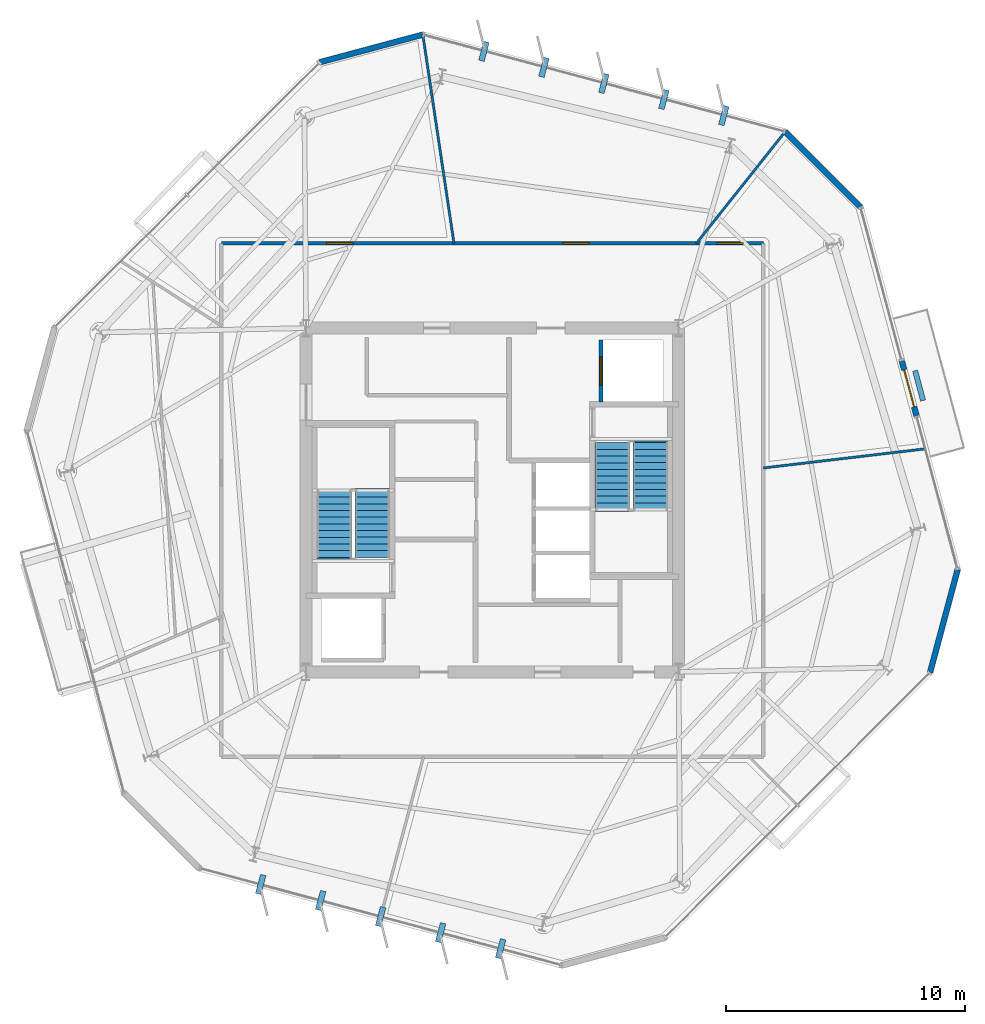
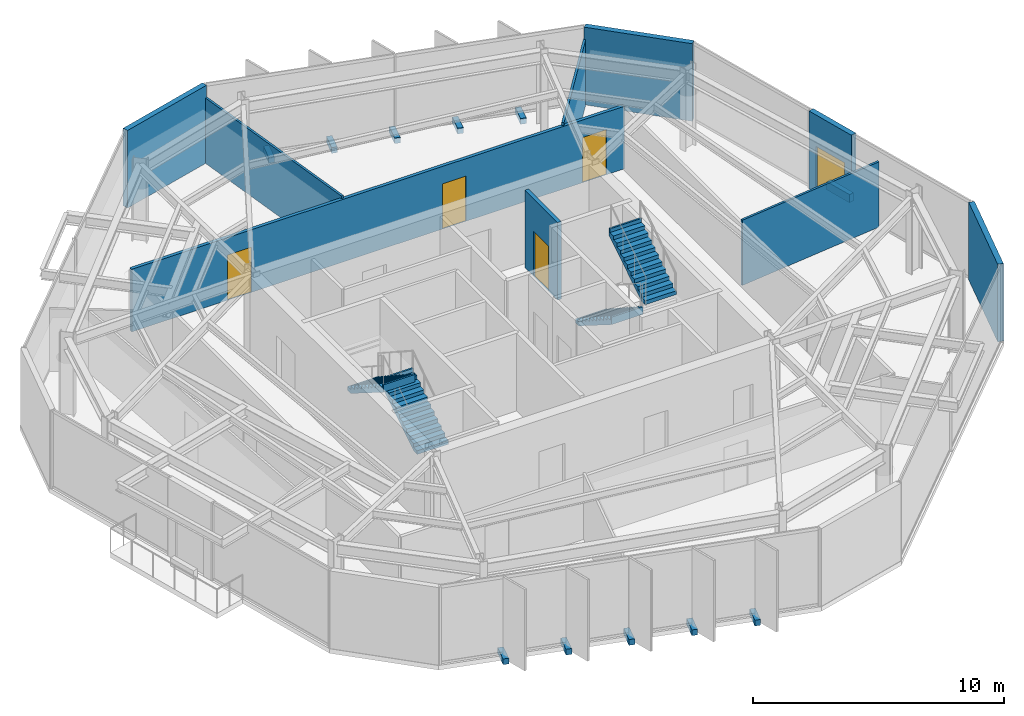
# One storey, part 9 of 12: 10 discrete accessories, 10 walls, 5 doors, 4 stair flights, 5 openings, 2 elements without a shape of their own.
"""IFC4 building model written with IfcOpenShell, lengths in metres."""

from ifc_helpers import new_model, si_unit, direction, frame, frame_2d, origin, origin_2d, place, context, subcontext, project, spatial, polyline, rectangle, outline, extrude, material, layer, layer_set, type_object, element, fill, aggregate, save


model = new_model("IFC4")

# Units and contexts
model_context = context("Model", 3, precision=1e-05, world=origin(), true_north=direction((0.0, 1.0)))
body_context = subcontext(model_context, "Body", "Model", "MODEL_VIEW")
ifc_project = project(units=[si_unit("LENGTHUNIT", "METRE"), si_unit("AREAUNIT", "SQUARE_METRE"), si_unit("VOLUMEUNIT", "CUBIC_METRE"), si_unit("PLANEANGLEUNIT", "RADIAN"), si_unit("MASSUNIT", "GRAM", prefix="KILO")], contexts=[model_context])

# Site, building, storey
site_placement = place(None, origin())
site = spatial("IfcSite", under=ifc_project, at=site_placement, CompositionType="ELEMENT")
building_placement = place(site_placement, origin())
building = spatial("IfcBuilding", under=site, at=building_placement, Name="Kranzbogen Civic Tower", CompositionType="ELEMENT")
storey_placement = place(building_placement, frame((0.0, 0.0, 204.800048828125)))
storey = spatial("IfcBuildingStorey", under=building, at=storey_placement, Name="L49", CompositionType="ELEMENT", Elevation=204.800048828125)

# Wall, openings, doors
ifc_material_1 = material(Name="Double-Stud Acoustic Gypsum Partition")
ifc_layer_1 = layer(ifc_material_1, 0.14990234375, Name="Double-Stud Acoustic Gypsum Partition")
ifc_layer_set_1 = layer_set([ifc_layer_1], Name="Double-Stud Acoustic Gypsum Partition")
wall_type_1 = type_object("IfcWallType", Name="Acoustic Corridor and Clinical Partition 150 mm", PredefinedType="PARTITIONING", material=ifc_layer_set_1)
wall_1_placement = place(storey_placement, frame((13.64990234375, 35.75, 0.0), z_axis=(0.0, 0.0, 1.0), x_axis=(1.0, 0.0, 0.0)))
wall_1 = element("IfcWall", 1, at=wall_1_placement, inside=storey, type_object=wall_type_1, Name="L49 corridor partition 01", PredefinedType="PARTITIONING", context=body_context, shape_type="SweptSolid", body=[
    extrude(rectangle(XDim=22.7001953125, YDim=0.14990234375, at=frame_2d((11.35009765625, 0.0))), origin(), (0.0, 0.0, 1.0), 3.050048828125),
])
opening_1_placement = place(wall_1_placement, frame((20.76806640625, 0.0, 0.0)))
opening_1 = element("IfcOpeningElement", 2, at=opening_1_placement, cuts=wall_1, Name="Opening D-COR60", PredefinedType="OPENING", context=body_context, shape_type="SweptSolid", body=[
    extrude(rectangle(XDim=1.10009765625, YDim=2.199951171875, at=frame_2d((0.550048828125, 1.10009765625))), frame((0.0, 0.0849609375, 0.0), z_axis=(0.0, -1.0, 0.0), x_axis=(1.0, 0.0, 0.0)), (0.0, 0.0, 1.0), 0.169921875),
])
opening_2_placement = place(wall_1_placement, frame((14.301025390625, 0.0, 0.0)))
opening_2 = element("IfcOpeningElement", 3, at=opening_2_placement, cuts=wall_1, Name="Opening D-COR60", PredefinedType="OPENING", context=body_context, shape_type="SweptSolid", body=[
    extrude(rectangle(XDim=1.10009765625, YDim=2.199951171875, at=frame_2d((0.550048828125, 1.10009765625))), frame((0.0, 0.0849609375, 0.0), z_axis=(0.0, -1.0, 0.0), x_axis=(1.0, 0.0, 0.0)), (0.0, 0.0, 1.0), 0.169921875),
])
opening_3_placement = place(wall_1_placement, frame((4.412109375, 0.0, 0.0)))
opening_3 = element("IfcOpeningElement", 4, at=opening_3_placement, cuts=wall_1, Name="Opening D-COR60", PredefinedType="OPENING", context=body_context, shape_type="SweptSolid", body=[
    extrude(rectangle(XDim=1.10009765625, YDim=2.199951171875, at=frame_2d((0.550048828125, 1.10009765625))), frame((0.0, 0.0849609375, 0.0), z_axis=(0.0, -1.0, 0.0), x_axis=(1.0, 0.0, 0.0)), (0.0, 0.0, 1.0), 0.169921875),
])
ifc_material_2 = material(Name="Oak Timber and Fire Core", Category="wood")
door_type_1 = type_object("IfcDoorType", Name="Corridor Acoustic Fire Door 1100x2200", OperationType="NOTDEFINED", PredefinedType="DOOR", material=ifc_material_2)
door_1_placement = place(opening_1_placement, origin())
door_1 = element("IfcDoor", 5, at=door_1_placement, inside=storey, type_object=door_type_1, Name="L49 Licensing Information Kiosk door", OperationType="SINGLE_SWING_RIGHT", OverallHeight=2.199951171875, OverallWidth=1.10009765625, PredefinedType="DOOR", context=body_context, shape_type="SweptSolid", body=[
    extrude(rectangle(XDim=1.10009765625, YDim=2.199951171875, at=frame_2d((0.550048828125, 1.10009765625))), frame((0.0, 0.02490234375, 0.0), z_axis=(0.0, -1.0, 0.0), x_axis=(1.0, 0.0, 0.0)), (0.0, 0.0, 1.0), 0.050048828125),
])
fill(opening_1, door_1)
door_2_placement = place(opening_2_placement, origin())
door_2 = element("IfcDoor", 6, at=door_2_placement, inside=storey, type_object=door_type_1, Name="L49 Ministerial Policy Office door", OperationType="SINGLE_SWING_LEFT", OverallHeight=2.199951171875, OverallWidth=1.10009765625, PredefinedType="DOOR", context=body_context, shape_type="SweptSolid", body=[
    extrude(rectangle(XDim=1.10009765625, YDim=2.199951171875, at=frame_2d((0.550048828125, 1.10009765625))), frame((0.0, 0.02490234375, 0.0), z_axis=(0.0, -1.0, 0.0), x_axis=(1.0, 0.0, 0.0)), (0.0, 0.0, 1.0), 0.050048828125),
])
fill(opening_2, door_2)
door_3_placement = place(opening_3_placement, origin())
door_3 = element("IfcDoor", 7, at=door_3_placement, inside=storey, type_object=door_type_1, Name="L49 Executive Briefing Conference Room door", OperationType="SINGLE_SWING_RIGHT", OverallHeight=2.199951171875, OverallWidth=1.10009765625, PredefinedType="DOOR", context=body_context, shape_type="SweptSolid", body=[
    extrude(rectangle(XDim=1.10009765625, YDim=2.199951171875, at=frame_2d((0.550048828125, 1.10009765625))), frame((0.0, 0.02490234375, 0.0), z_axis=(0.0, -1.0, 0.0), x_axis=(1.0, 0.0, 0.0)), (0.0, 0.0, 1.0), 0.050048828125),
])
fill(opening_3, door_3)

# Walls
ifc_material_3 = material(Name="Architectural Precast Terracotta Concrete C40/50", Category="masonry")
ifc_layer_2 = layer(ifc_material_3, 0.219970703125, Name="Architectural Precast Terracotta Concrete C40/50")
ifc_layer_set_2 = layer_set([ifc_layer_2], Name="Architectural Precast Terracotta Concrete C40/50")
wall_type_2 = type_object("IfcWallType", Name="Architectural Tree Planter Kerb Wall 220 mm", PredefinedType="USERDEFINED", material=ifc_layer_set_2)
wall_2_placement = place(storey_placement, frame((43.0419921875, 29.160888671875, 0.0), z_axis=(0.0, 0.0, 1.0), x_axis=(-0.258363777467, 0.966047699906, 0.0)))
element("IfcWall", 8, at=wall_2_placement, inside=storey, type_object=wall_type_2, Name="L49 landscaped tree balcony planter L49-TB1", ObjectType="PLANTER_WALL", PredefinedType="USERDEFINED", context=body_context, shape_type="SweptSolid", body=[
    extrude(rectangle(XDim=1.30029296875, YDim=0.219970703125, at=frame_2d((0.650146484375, 0.0))), origin(), (0.0, 0.0, 1.0), 0.39990234375),
])
ifc_material_4 = material(Name="Demountable Aluminium and Gypsum Partition", Category="aluminium")
ifc_layer_3 = layer(ifc_material_4, 0.10009765625, Name="Demountable Aluminium and Gypsum Partition")
ifc_layer_set_3 = layer_set([ifc_layer_3], Name="Demountable Aluminium and Gypsum Partition")
wall_type_3 = type_object("IfcWallType", Name="Demountable Office Partition 100 mm", PredefinedType="MOVABLE", material=ifc_layer_set_3)
wall_3_placement = place(storey_placement, frame((23.39501953125, 35.75, 0.0), z_axis=(0.0, 0.0, 1.0), x_axis=(-0.14765939102, 0.989038272386, 0.0)))
element("IfcWall", 9, at=wall_3_placement, inside=storey, type_object=wall_type_3, Name="L49 radial room partition 01", PredefinedType="MOVABLE", context=body_context, shape_type="SweptSolid", body=[
    extrude(rectangle(XDim=8.817626953125, YDim=0.10009765625, at=frame_2d((4.40869140625, 0.0))), origin(), (0.0, 0.0, 1.0), 3.179931640625),
])
wall_4_placement = place(storey_placement, frame((36.35009765625, 26.341064453125, 0.0), z_axis=(0.0, 0.0, 1.0), x_axis=(0.993085158578, 0.117396200161, 0.0)))
element("IfcWall", 10, at=wall_4_placement, inside=storey, type_object=wall_type_3, Name="L49 radial room partition 06", PredefinedType="MOVABLE", context=body_context, shape_type="SweptSolid", body=[
    extrude(rectangle(XDim=6.81494140625, YDim=0.10009765625, at=frame_2d((3.407470703125, 0.0))), origin(), (0.0, 0.0, 1.0), 3.179931640625),
])
wall_5_placement = place(storey_placement, frame((33.548095703125, 35.75, 0.0), z_axis=(0.0, 0.0, 1.0), x_axis=(0.622406520703, 0.782694143958, 0.0)))
element("IfcWall", 11, at=wall_5_placement, inside=storey, type_object=wall_type_3, Name="L49 radial room partition 07", PredefinedType="MOVABLE", context=body_context, shape_type="SweptSolid", body=[
    extrude(rectangle(XDim=5.952392578125, YDim=0.10009765625, at=frame_2d((2.97607421875, 0.0))), origin(), (0.0, 0.0, 1.0), 3.179931640625),
])

# Wall, opening, door
ifc_material_5 = material(Name="Gypsum Fireboard Shaftliner")
ifc_layer_4 = layer(ifc_material_5, 0.175048828125, Name="Gypsum Fireboard Shaftliner")
ifc_layer_set_4 = layer_set([ifc_layer_4], Name="Gypsum Fireboard Shaftliner")
wall_type_4 = type_object("IfcWallType", Name="Fire-Rated Lift and Service Shaft Wall 175 mm", PredefinedType="PARTITIONING", material=ifc_layer_set_4)
wall_6_placement = place(storey_placement, frame((29.550048828125, 29.10009765625, 0.0), z_axis=(0.0, 0.0, 1.0), x_axis=(0.0, 1.0, 0.0)))
wall_6 = element("IfcWall", 12, at=wall_6_placement, inside=storey, type_object=wall_type_4, Name="L49 lift FF-02 landing wall", PredefinedType="PARTITIONING", context=body_context, shape_type="SweptSolid", body=[
    extrude(rectangle(XDim=2.599853515625, YDim=0.175048828125, at=frame_2d((1.2998046875, 0.0))), origin(), (0.0, 0.0, 1.0), 3.780029296875),
])
opening_4_placement = place(wall_6_placement, frame((0.699951171875, 0.0, 0.0)))
opening_4 = element("IfcOpeningElement", 13, at=opening_4_placement, cuts=wall_6, Name="Opening LD-FF-02", PredefinedType="OPENING", context=body_context, shape_type="SweptSolid", body=[
    extrude(rectangle(XDim=1.199951171875, YDim=2.199951171875, at=frame_2d((0.60009765625, 1.10009765625))), frame((0.0, 0.09765625, 0.0), z_axis=(0.0, -1.0, 0.0), x_axis=(1.0, 0.0, 0.0)), (0.0, 0.0, 1.0), 0.195068359375),
])
ifc_material_6 = material(Name="Pale Anodised Aluminium", Category="aluminium")
door_type_2 = type_object("IfcDoorType", Name="Firefighting and Stretcher Lift Sliding Landing Door 1200x2200", OperationType="DOUBLE_DOOR_SLIDING", PredefinedType="DOOR", material=ifc_material_6)
door_4_placement = place(opening_4_placement, origin())
door_4 = element("IfcDoor", 14, at=door_4_placement, inside=storey, type_object=door_type_2, Name="L49 lift FF-02 sliding landing door", OperationType="DOUBLE_DOOR_SLIDING", OverallHeight=2.199951171875, OverallWidth=1.199951171875, PredefinedType="DOOR", context=body_context, shape_type="SweptSolid", body=[
    extrude(rectangle(XDim=1.199951171875, YDim=2.199951171875, at=frame_2d((0.60009765625, 1.10009765625))), frame((0.0, 0.02490234375, 0.0), z_axis=(0.0, -1.0, 0.0), x_axis=(1.0, 0.0, 0.0)), (0.0, 0.0, 1.0), 0.050048828125),
])
fill(opening_4, door_4)

# Walls
ifc_layer_5 = layer(ifc_material_6, 0.239990234375, Name="Pale Anodised Aluminium")
ifc_layer_set_5 = layer_set([ifc_layer_5], Name="Pale Anodised Aluminium")
wall_type_5 = type_object("IfcWallType", Name="Insulated Aluminium Facade Portal Wall 240 mm", PredefinedType="STANDARD", material=ifc_layer_set_5)
for number, where, z_axis, x_axis, name in (
    (15, (22.091064453125, 44.489013671875, 0.0), (0.0, 0.0, 1.0), (-0.965899511245, -0.258917234221, 0.0), "L49 chamfered corner facade spandrel 1"),
    (16, (43.33203125, 17.77490234375, 0.0), (0.0, 0.0, 1.0), (0.258917234221, 0.965899511245, 0.0), "L49 chamfered corner facade spandrel 5"),
):
    element("IfcWall", number, at=place(storey_placement, frame(where, z_axis=z_axis, x_axis=x_axis)), inside=storey, type_object=wall_type_5, Name=name, PredefinedType="STANDARD", context=body_context, shape_type="SweptSolid", body=[
        extrude(rectangle(XDim=4.468505859375, YDim=0.239990234375, at=frame_2d((2.234375, 0.0))), origin(), (0.0, 0.0, 1.0), 3.780029296875),
    ])

# Wall, opening, door
wall_7_placement = place(storey_placement, frame((42.76708984375, 28.51806640625, 0.0), z_axis=(0.0, 0.0, 1.0), x_axis=(-0.258827623195, 0.965923527755, 0.0)))
wall_7 = element("IfcWall", 17, at=wall_7_placement, inside=storey, type_object=wall_type_5, Name="L49 exterior entrance portal wall 1", PredefinedType="STANDARD", context=body_context, shape_type="SweptSolid", body=[
    extrude(rectangle(XDim=2.399658203125, YDim=0.239990234375, at=frame_2d((1.19970703125, 0.0))), origin(), (0.0, 0.0, 1.0), 3.780029296875),
])
opening_5_placement = place(wall_7_placement, frame((0.39990234375, 0.0, 0.0)))
opening_5 = element("IfcOpeningElement", 18, at=opening_5_placement, cuts=wall_7, Name="Opening D-TER", PredefinedType="OPENING", context=body_context, shape_type="SweptSolid", body=[
    extrude(rectangle(XDim=1.60009765625, YDim=2.25, at=frame_2d((0.800048828125, 1.125))), frame((0.0, 0.1298828125, 0.0), z_axis=(0.0, -1.0, 0.0), x_axis=(1.0, 0.0, 0.0)), (0.0, 0.0, 1.0), 0.260009765625),
])
ifc_material_7 = material(Name="Anodised Bronze and Triple Glass", Category="glass")
door_type_3 = type_object("IfcDoorType", Name="Glazed Terrace and Balcony Double Door 1600x2250", OperationType="DOUBLE_DOOR_SINGLE_SWING", PredefinedType="DOOR", material=ifc_material_7)
door_5_placement = place(opening_5_placement, frame((1.60009765625, 0.0, 0.0), z_axis=(0.0, 0.0, 1.0), x_axis=(-1.0, 0.0, 0.0)))
door_5 = element("IfcDoor", 19, at=door_5_placement, inside=storey, type_object=door_type_3, Name="L49 tree balcony access door L49-TB1", OperationType="DOUBLE_DOOR_SINGLE_SWING", OverallHeight=2.25, OverallWidth=1.60009765625, PredefinedType="DOOR", context=body_context, shape_type="SweptSolid", body=[
    extrude(rectangle(XDim=1.60009765625, YDim=2.25, at=frame_2d((0.800048828125, 1.125))), frame((0.0, 0.02490234375, 0.0), z_axis=(0.0, -1.0, 0.0), x_axis=(1.0, 0.0, 0.0)), (0.0, 0.0, 1.0), 0.050048828125),
])
fill(opening_5, door_5)

# Wall
wall_8_placement = place(storey_placement, frame((40.423095703125, 37.263916015625, 0.0), z_axis=(0.0, 0.0, 1.0), x_axis=(-0.707106781187, 0.707106781187, 0.0)))
element("IfcWall", 20, at=wall_8_placement, inside=storey, type_object=wall_type_5, Name="L49 chamfered corner facade spandrel 6", PredefinedType="STANDARD", context=body_context, shape_type="SweptSolid", body=[
    extrude(rectangle(XDim=4.4677734375, YDim=0.239990234375, at=frame_2d((2.23388671875, 0.0))), origin(), (0.0, 0.0, 1.0), 3.780029296875),
])

# Stair, stair flights
ifc_material_8 = material(Name="Precast concrete C40/50", Category="concrete")
stair_type_1 = type_object("IfcStairType", Name="Tower Core Pressurized Dogleg Stair 1450", PredefinedType="HALF_TURN_STAIR", material=ifc_material_8)
stair_1_placement = place(storey_placement, origin())
stair_1 = element("IfcStair", 21, at=stair_1_placement, inside=storey, type_object=stair_type_1, Name="L49 Tower Core Pressurized Stair 1", PredefinedType="HALF_TURN_STAIR")
stair_flight_type = type_object("IfcStairFlightType", Name="Precast Concrete Stair Flight R180", PredefinedType="STRAIGHT", material=ifc_material_8)
stair_flight_1_placement = place(storey_placement, frame((19.97509765625, 22.60009765625, 0.0), z_axis=(0.0, 0.0, 1.0), x_axis=(0.0, 1.0, 0.0)))
stair_flight_1 = element("IfcStairFlight", 22, at=stair_flight_1_placement, type_object=stair_flight_type, Name="ST-T1 flight 1", NumberOfRisers=11, NumberOfTreads=10, PredefinedType="STRAIGHT", RiserHeight=0.181818182, TreadLength=0.28, context=body_context, shape_type="SweptSolid", body=[
    extrude(outline(polyline([(0.0, 0.0), (0.0, 0.181884765625), (0.280029296875, 0.181884765625), (0.280029296875, 0.363525390625), (0.56005859375, 0.363525390625), (0.56005859375, 0.54541015625), (0.840087890625, 0.54541015625), (0.840087890625, 0.727294921875), (1.1201171875, 0.727294921875), (1.1201171875, 0.9091796875), (1.39990234375, 0.9091796875), (1.39990234375, 1.0908203125), (1.679931640625, 1.0908203125), (1.679931640625, 1.272705078125), (1.9599609375, 1.272705078125), (1.9599609375, 1.45458984375), (2.239990234375, 1.45458984375), (2.239990234375, 1.636474609375), (2.52001953125, 1.636474609375), (2.52001953125, 1.818115234375), (2.800048828125, 1.818115234375), (2.800048828125, 2.0), (2.880126953125, 2.0), (2.880126953125, 1.639404296875), (0.275146484375, 0.0), (0.0, 0.0)])), frame((0.0, 0.72509765625, 0.0), z_axis=(0.0, -1.0, 0.0), x_axis=(1.0, 0.0, 0.0)), (0.0, 0.0, 1.0), 1.449951171875),
])
stair_flight_2_placement = place(storey_placement, frame((18.375, 25.39990234375, 2.0), z_axis=(0.0, 0.0, 1.0), x_axis=(0.0, -1.0, 0.0)))
stair_flight_2 = element("IfcStairFlight", 23, at=stair_flight_2_placement, type_object=stair_flight_type, Name="ST-T1 flight 2", NumberOfRisers=11, NumberOfTreads=10, PredefinedType="STRAIGHT", RiserHeight=0.181818182, TreadLength=0.28, context=body_context, shape_type="SweptSolid", body=[
    extrude(outline(polyline([(0.0, 0.0), (0.0, 0.181884765625), (0.280029296875, 0.181884765625), (0.280029296875, 0.363525390625), (0.56005859375, 0.363525390625), (0.56005859375, 0.54541015625), (0.840087890625, 0.54541015625), (0.840087890625, 0.727294921875), (1.1201171875, 0.727294921875), (1.1201171875, 0.9091796875), (1.39990234375, 0.9091796875), (1.39990234375, 1.0908203125), (1.679931640625, 1.0908203125), (1.679931640625, 1.272705078125), (1.9599609375, 1.272705078125), (1.9599609375, 1.45458984375), (2.239990234375, 1.45458984375), (2.239990234375, 1.636474609375), (2.52001953125, 1.636474609375), (2.52001953125, 1.818115234375), (2.800048828125, 1.818115234375), (2.800048828125, 2.0), (2.880126953125, 2.0), (2.880126953125, 1.639404296875), (0.275146484375, 0.0), (0.0, 0.0)])), frame((0.0, 0.72509765625, 0.0), z_axis=(0.0, -1.0, 0.0), x_axis=(1.0, 0.0, 0.0)), (0.0, 0.0, 1.0), 1.449951171875),
])
aggregate(stair_1, [stair_flight_1, stair_flight_2])

stair_type_2 = type_object("IfcStairType", Name="Tower Core Secondary Dogleg Stair 1450", PredefinedType="HALF_TURN_STAIR", material=ifc_material_8)
stair_2_placement = place(storey_placement, origin())
stair_2 = element("IfcStair", 24, at=stair_2_placement, inside=storey, type_object=stair_type_2, Name="L49 Tower Core Pressurized Stair 2", PredefinedType="HALF_TURN_STAIR")
stair_flight_3_placement = place(storey_placement, frame((30.02490234375, 27.39990234375, 0.0), z_axis=(0.0, 0.0, 1.0), x_axis=(0.0, -1.0, 0.0)))
stair_flight_3 = element("IfcStairFlight", 25, at=stair_flight_3_placement, type_object=stair_flight_type, Name="ST-T2 flight 1", NumberOfRisers=11, NumberOfTreads=10, PredefinedType="STRAIGHT", RiserHeight=0.181818182, TreadLength=0.28, context=body_context, shape_type="SweptSolid", body=[
    extrude(outline(polyline([(0.0, 0.0), (0.0, 0.181884765625), (0.280029296875, 0.181884765625), (0.280029296875, 0.363525390625), (0.56005859375, 0.363525390625), (0.56005859375, 0.54541015625), (0.840087890625, 0.54541015625), (0.840087890625, 0.727294921875), (1.1201171875, 0.727294921875), (1.1201171875, 0.9091796875), (1.39990234375, 0.9091796875), (1.39990234375, 1.0908203125), (1.679931640625, 1.0908203125), (1.679931640625, 1.272705078125), (1.9599609375, 1.272705078125), (1.9599609375, 1.45458984375), (2.239990234375, 1.45458984375), (2.239990234375, 1.636474609375), (2.52001953125, 1.636474609375), (2.52001953125, 1.818115234375), (2.800048828125, 1.818115234375), (2.800048828125, 2.0), (2.880126953125, 2.0), (2.880126953125, 1.639404296875), (0.275146484375, 0.0), (0.0, 0.0)])), frame((0.0, 0.72509765625, 0.0), z_axis=(0.0, -1.0, 0.0), x_axis=(1.0, 0.0, 0.0)), (0.0, 0.0, 1.0), 1.449951171875),
])
stair_flight_4_placement = place(storey_placement, frame((31.625, 24.60009765625, 2.0), z_axis=(0.0, 0.0, 1.0), x_axis=(0.0, 1.0, 0.0)))
stair_flight_4 = element("IfcStairFlight", 26, at=stair_flight_4_placement, type_object=stair_flight_type, Name="ST-T2 flight 2", NumberOfRisers=11, NumberOfTreads=10, PredefinedType="STRAIGHT", RiserHeight=0.181818182, TreadLength=0.28, context=body_context, shape_type="SweptSolid", body=[
    extrude(outline(polyline([(0.0, 0.0), (0.0, 0.181884765625), (0.280029296875, 0.181884765625), (0.280029296875, 0.363525390625), (0.56005859375, 0.363525390625), (0.56005859375, 0.54541015625), (0.840087890625, 0.54541015625), (0.840087890625, 0.727294921875), (1.1201171875, 0.727294921875), (1.1201171875, 0.9091796875), (1.39990234375, 0.9091796875), (1.39990234375, 1.0908203125), (1.679931640625, 1.0908203125), (1.679931640625, 1.272705078125), (1.9599609375, 1.272705078125), (1.9599609375, 1.45458984375), (2.239990234375, 1.45458984375), (2.239990234375, 1.636474609375), (2.52001953125, 1.636474609375), (2.52001953125, 1.818115234375), (2.800048828125, 1.818115234375), (2.800048828125, 2.0), (2.880126953125, 2.0), (2.880126953125, 1.639404296875), (0.275146484375, 0.0), (0.0, 0.0)])), frame((0.0, 0.72509765625, 0.0), z_axis=(0.0, -1.0, 0.0), x_axis=(1.0, 0.0, 0.0)), (0.0, 0.0, 1.0), 1.449951171875),
])
aggregate(stair_2, [stair_flight_3, stair_flight_4])

# Discrete accessories
ifc_material_9 = material(Name="Steel S355", Category="steel")
discrete_accessory_type = type_object("IfcDiscreteAccessoryType", Name="Structural Curtain-Wall Fin Support Bracket", PredefinedType="BRACKET", material=ifc_material_9)
for number, where, z_axis, x_axis, name in (
    (27, (34.697021484375, 41.09912109375, -0.25), (0.0, 0.0, 1.0), (0.258819045103, 0.965925826289, 0.0), "L49 facade fin support bracket F1-1"),
    (28, (32.18603515625, 41.77197265625, -0.25), (0.0, 0.0, 1.0), (0.258819045103, 0.965925826289, 0.0), "L49 facade fin support bracket F1-2"),
    (29, (29.674072265625, 42.445068359375, -0.25), (0.0, 0.0, 1.0), (0.258819045103, 0.965925826289, 0.0), "L49 facade fin support bracket F1-3"),
    (30, (27.1630859375, 43.117919921875, -0.25), (0.0, 0.0, 1.0), (0.258819045103, 0.965925826289, 0.0), "L49 facade fin support bracket F1-4"),
    (31, (24.65087890625, 43.7900390625, -0.25), (0.0, 0.0, 1.0), (0.258819045103, 0.965925826289, 0.0), "L49 facade fin support bracket F1-5"),
    (32, (15.302978515625, 8.90087890625, -0.25), (0.0, 0.0, 1.0), (-0.258819045103, -0.965925826289, 0.0), "L49 facade fin support bracket F4-1"),
    (33, (17.81396484375, 8.22802734375, -0.25), (0.0, 0.0, 1.0), (-0.258819045103, -0.965925826289, 0.0), "L49 facade fin support bracket F4-2"),
    (34, (20.325927734375, 7.554931640625, -0.25), (0.0, 0.0, 1.0), (-0.258819045103, -0.965925826289, 0.0), "L49 facade fin support bracket F4-3"),
    (35, (22.8369140625, 6.882080078125, -0.25), (0.0, 0.0, 1.0), (-0.258819045103, -0.965925826289, 0.0), "L49 facade fin support bracket F4-4"),
    (36, (25.34912109375, 6.2099609375, -0.25), (0.0, 0.0, 1.0), (-0.258819045103, -0.965925826289, 0.0), "L49 facade fin support bracket F4-5"),
):
    element("IfcDiscreteAccessory", number, at=place(storey_placement, frame(where, z_axis=z_axis, x_axis=x_axis)), inside=storey, type_object=discrete_accessory_type, Name=name, PredefinedType="BRACKET", context=body_context, shape_type="SweptSolid", body=[
        extrude(rectangle(XDim=0.820068359375, YDim=0.239990234375, at=origin_2d()), origin(), (0.0, 0.0, 1.0), 0.280029296875),
    ])

save(model, "model.ifc")
